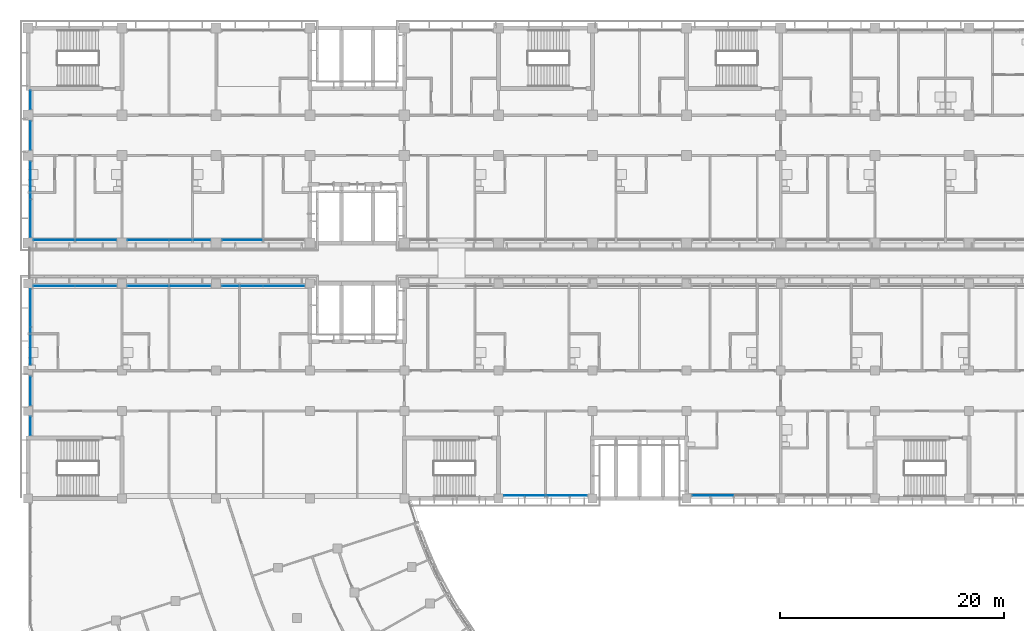
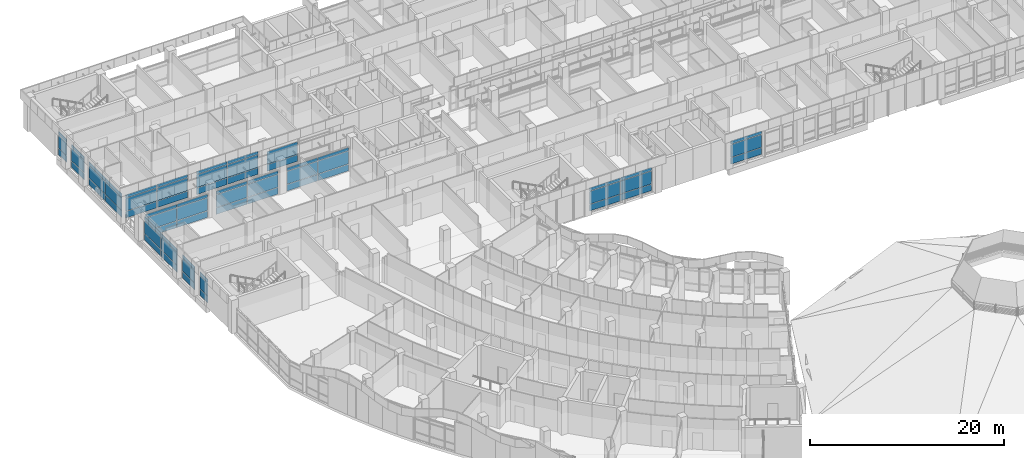
# One storey, part 55 of 137: 65 plates, 14 elements without a shape of their own.
"""IFC4 building model written with IfcOpenShell, lengths in metres."""

from ifc_helpers import new_model, si_unit, direction, frame, origin, origin_2d, place, context, subcontext, project, spatial, rectangle, extrude, material, layer, layer_set, type_object, element, aggregate, save


model = new_model("IFC4")

# Units and contexts
model_context = context("Model", 3, precision=1e-05, world=origin(), true_north=direction((0.0, 1.0)))
body_context = subcontext(model_context, "Body", "Model", "MODEL_VIEW")
ifc_project = project(units=[si_unit("LENGTHUNIT", "METRE"), si_unit("AREAUNIT", "SQUARE_METRE"), si_unit("VOLUMEUNIT", "CUBIC_METRE"), si_unit("PLANEANGLEUNIT", "RADIAN"), si_unit("MASSUNIT", "GRAM", prefix="KILO")], contexts=[model_context])

# Site, building, storey
site_placement = place(None, origin())
site = spatial("IfcSite", under=ifc_project, at=site_placement, CompositionType="ELEMENT")
building_placement = place(site_placement, origin())
building = spatial("IfcBuilding", under=site, at=building_placement, Name="Bougainvillea Quay General Hospital", CompositionType="ELEMENT")
storey_placement = place(building_placement, frame((0.0, 0.0, 16.800048828125)))
storey = spatial("IfcBuildingStorey", under=building, at=storey_placement, Name="L03", CompositionType="ELEMENT", Elevation=16.800048828125)

# Curtain wall, plates
ifc_material_1 = material(Name="Aluminium curtain wall system, powder-coated glazed", Category="aluminium")
curtain_wall_type_1 = type_object("IfcCurtainWallType", Name="Unitised curtain wall CW-1755", PredefinedType="NOTDEFINED", material=ifc_material_1)
curtain_wall_1_placement = place(storey_placement, origin())
curtain_wall_1 = element("IfcCurtainWall", 1, at=curtain_wall_1_placement, inside=storey, type_object=curtain_wall_type_1, Name="CW-4200 00", PredefinedType="NOTDEFINED")
ifc_material_2 = material(Name="Insulated aluminium spandrel panel, white", Category="aluminium")
ifc_layer_1 = layer(ifc_material_2, 0.028076171875)
ifc_layer_set_1 = layer_set([ifc_layer_1], Name="Insulated aluminium spandrel panel, white")
plate_type_1 = type_object("IfcPlateType", Name="Insulated spandrel panel white 28", PredefinedType="CURTAIN_PANEL", material=ifc_layer_set_1)
plate_1_placement = place(storey_placement, frame((42.25, 153.1474609375, 0.059814453125), z_axis=(0.0, 0.0, 1.0), x_axis=(0.0, -1.0, 0.0)))
plate_1 = element("IfcPlate", 2, at=plate_1_placement, type_object=plate_type_1, Name="CW-4200 spandrel panel 1.1", PredefinedType="CURTAIN_PANEL", context=body_context, shape_type="SweptSolid", body=[
    extrude(rectangle(XDim=1.635009765625, YDim=0.028076171875, at=origin_2d()), origin(), (0.0, 0.0, 1.0), 0.81005859375),
])
plate_2_placement = place(storey_placement, frame((42.25, 153.1474609375, 2.580078125), z_axis=(0.0, 0.0, 1.0), x_axis=(0.0, -1.0, 0.0)))
plate_2 = element("IfcPlate", 3, at=plate_2_placement, type_object=plate_type_1, Name="CW-4200 spandrel panel 1.3", PredefinedType="CURTAIN_PANEL", context=body_context, shape_type="SweptSolid", body=[
    extrude(rectangle(XDim=1.635009765625, YDim=0.028076171875, at=origin_2d()), origin(), (0.0, 0.0, 1.0), 0.409912109375),
])

curtain_wall_type_2 = type_object("IfcCurtainWallType", Name="Unitised curtain wall CW-2660", PredefinedType="NOTDEFINED", material=ifc_material_1)
curtain_wall_2_placement = place(storey_placement, origin())
curtain_wall_2 = element("IfcCurtainWall", 4, at=curtain_wall_2_placement, inside=storey, type_object=curtain_wall_type_2, Name="CW-4200 01", PredefinedType="NOTDEFINED")
plate_3_placement = place(storey_placement, frame((42.25, 150.0, 0.059814453125), z_axis=(0.0, 0.0, 1.0), x_axis=(0.0, -1.0, 0.0)))
plate_3 = element("IfcPlate", 5, at=plate_3_placement, type_object=plate_type_1, Name="CW-4200 spandrel panel 1.1", PredefinedType="CURTAIN_PANEL", context=body_context, shape_type="SweptSolid", body=[
    extrude(rectangle(XDim=2.5400390625, YDim=0.028076171875, at=origin_2d()), origin(), (0.0, 0.0, 1.0), 0.81005859375),
])
plate_4_placement = place(storey_placement, frame((42.25, 150.0, 2.580078125), z_axis=(0.0, 0.0, 1.0), x_axis=(0.0, -1.0, 0.0)))
plate_4 = element("IfcPlate", 6, at=plate_4_placement, type_object=plate_type_1, Name="CW-4200 spandrel panel 1.3", PredefinedType="CURTAIN_PANEL", context=body_context, shape_type="SweptSolid", body=[
    extrude(rectangle(XDim=2.5400390625, YDim=0.028076171875, at=origin_2d()), origin(), (0.0, 0.0, 1.0), 0.409912109375),
])

curtain_wall_type_3 = type_object("IfcCurtainWallType", Name="Unitised curtain wall CW-3430", PredefinedType="NOTDEFINED", material=ifc_material_1)
curtain_wall_3_placement = place(storey_placement, origin())
curtain_wall_3 = element("IfcCurtainWall", 7, at=curtain_wall_3_placement, inside=storey, type_object=curtain_wall_type_3, Name="CW-4200 02", PredefinedType="NOTDEFINED")
plate_5_placement = place(storey_placement, frame((42.25, 146.0, 0.059814453125), z_axis=(0.0, 0.0, 1.0), x_axis=(0.0, -1.0, 0.0)))
plate_5 = element("IfcPlate", 8, at=plate_5_placement, type_object=plate_type_1, Name="CW-4200 spandrel panel 1.1", PredefinedType="CURTAIN_PANEL", context=body_context, shape_type="SweptSolid", body=[
    extrude(rectangle(XDim=3.340087890625, YDim=0.028076171875, at=origin_2d()), origin(), (0.0, 0.0, 1.0), 0.81005859375),
])
plate_6_placement = place(storey_placement, frame((42.25, 146.0, 2.580078125), z_axis=(0.0, 0.0, 1.0), x_axis=(0.0, -1.0, 0.0)))
plate_6 = element("IfcPlate", 9, at=plate_6_placement, type_object=plate_type_1, Name="CW-4200 spandrel panel 1.3", PredefinedType="CURTAIN_PANEL", context=body_context, shape_type="SweptSolid", body=[
    extrude(rectangle(XDim=3.340087890625, YDim=0.028076171875, at=origin_2d()), origin(), (0.0, 0.0, 1.0), 0.409912109375),
])
plate_7_placement = place(storey_placement, frame((42.25, 142.60009765625, 0.059814453125), z_axis=(0.0, 0.0, 1.0), x_axis=(0.0, -1.0, 0.0)))
plate_7 = element("IfcPlate", 10, at=plate_7_placement, type_object=plate_type_1, Name="CW-4200 spandrel panel 2.1", PredefinedType="CURTAIN_PANEL", context=body_context, shape_type="SweptSolid", body=[
    extrude(rectangle(XDim=3.340087890625, YDim=0.028076171875, at=origin_2d()), origin(), (0.0, 0.0, 1.0), 0.81005859375),
])
plate_8_placement = place(storey_placement, frame((42.25, 142.60009765625, 2.580078125), z_axis=(0.0, 0.0, 1.0), x_axis=(0.0, -1.0, 0.0)))
plate_8 = element("IfcPlate", 11, at=plate_8_placement, type_object=plate_type_1, Name="CW-4200 spandrel panel 2.3", PredefinedType="CURTAIN_PANEL", context=body_context, shape_type="SweptSolid", body=[
    extrude(rectangle(XDim=3.340087890625, YDim=0.028076171875, at=origin_2d()), origin(), (0.0, 0.0, 1.0), 0.409912109375),
])

curtain_wall_type_4 = type_object("IfcCurtainWallType", Name="Unitised curtain wall CW-3730", PredefinedType="NOTDEFINED", material=ifc_material_1)
curtain_wall_4_placement = place(storey_placement, origin())
curtain_wall_4 = element("IfcCurtainWall", 12, at=curtain_wall_4_placement, inside=storey, type_object=curtain_wall_type_4, Name="CW-4200 00", PredefinedType="NOTDEFINED")
plate_9_placement = place(storey_placement, frame((44.35009765625, 140.64990234375, 0.059814453125), z_axis=(0.0, 0.0, 1.0), x_axis=(1.0, 0.0, 0.0)))
plate_9 = element("IfcPlate", 13, at=plate_9_placement, type_object=plate_type_1, Name="CW-4200 spandrel panel 1.1", PredefinedType="CURTAIN_PANEL", context=body_context, shape_type="SweptSolid", body=[
    extrude(rectangle(XDim=3.639892578125, YDim=0.028076171875, at=origin_2d()), origin(), (0.0, 0.0, 1.0), 0.81005859375),
])
plate_10_placement = place(storey_placement, frame((44.35009765625, 140.64990234375, 2.580078125), z_axis=(0.0, 0.0, 1.0), x_axis=(1.0, 0.0, 0.0)))
plate_10 = element("IfcPlate", 14, at=plate_10_placement, type_object=plate_type_1, Name="CW-4200 spandrel panel 1.3", PredefinedType="CURTAIN_PANEL", context=body_context, shape_type="SweptSolid", body=[
    extrude(rectangle(XDim=3.639892578125, YDim=0.028076171875, at=origin_2d()), origin(), (0.0, 0.0, 1.0), 0.409912109375),
])
plate_11_placement = place(storey_placement, frame((48.050048828125, 140.64990234375, 0.059814453125), z_axis=(0.0, 0.0, 1.0), x_axis=(1.0, 0.0, 0.0)))
plate_11 = element("IfcPlate", 15, at=plate_11_placement, type_object=plate_type_1, Name="CW-4200 spandrel panel 2.1", PredefinedType="CURTAIN_PANEL", context=body_context, shape_type="SweptSolid", body=[
    extrude(rectangle(XDim=3.639892578125, YDim=0.028076171875, at=origin_2d()), origin(), (0.0, 0.0, 1.0), 0.81005859375),
])
plate_12_placement = place(storey_placement, frame((48.050048828125, 140.64990234375, 2.580078125), z_axis=(0.0, 0.0, 1.0), x_axis=(1.0, 0.0, 0.0)))
plate_12 = element("IfcPlate", 16, at=plate_12_placement, type_object=plate_type_1, Name="CW-4200 spandrel panel 2.3", PredefinedType="CURTAIN_PANEL", context=body_context, shape_type="SweptSolid", body=[
    extrude(rectangle(XDim=3.639892578125, YDim=0.028076171875, at=origin_2d()), origin(), (0.0, 0.0, 1.0), 0.409912109375),
])

curtain_wall_5_placement = place(storey_placement, origin())
curtain_wall_5 = element("IfcCurtainWall", 17, at=curtain_wall_5_placement, inside=storey, type_object=curtain_wall_type_4, Name="CW-4200 01", PredefinedType="NOTDEFINED")
plate_13_placement = place(storey_placement, frame((52.75, 140.64990234375, 0.059814453125), z_axis=(0.0, 0.0, 1.0), x_axis=(1.0, 0.0, 0.0)))
plate_13 = element("IfcPlate", 18, at=plate_13_placement, type_object=plate_type_1, Name="CW-4200 spandrel panel 1.1", PredefinedType="CURTAIN_PANEL", context=body_context, shape_type="SweptSolid", body=[
    extrude(rectangle(XDim=3.639892578125, YDim=0.028076171875, at=origin_2d()), origin(), (0.0, 0.0, 1.0), 0.81005859375),
])
plate_14_placement = place(storey_placement, frame((52.75, 140.64990234375, 2.580078125), z_axis=(0.0, 0.0, 1.0), x_axis=(1.0, 0.0, 0.0)))
plate_14 = element("IfcPlate", 19, at=plate_14_placement, type_object=plate_type_1, Name="CW-4200 spandrel panel 1.3", PredefinedType="CURTAIN_PANEL", context=body_context, shape_type="SweptSolid", body=[
    extrude(rectangle(XDim=3.639892578125, YDim=0.028076171875, at=origin_2d()), origin(), (0.0, 0.0, 1.0), 0.409912109375),
])
plate_15_placement = place(storey_placement, frame((56.449951171875, 140.64990234375, 0.059814453125), z_axis=(0.0, 0.0, 1.0), x_axis=(1.0, 0.0, 0.0)))
plate_15 = element("IfcPlate", 20, at=plate_15_placement, type_object=plate_type_1, Name="CW-4200 spandrel panel 2.1", PredefinedType="CURTAIN_PANEL", context=body_context, shape_type="SweptSolid", body=[
    extrude(rectangle(XDim=3.639892578125, YDim=0.028076171875, at=origin_2d()), origin(), (0.0, 0.0, 1.0), 0.81005859375),
])
plate_16_placement = place(storey_placement, frame((56.449951171875, 140.64990234375, 2.580078125), z_axis=(0.0, 0.0, 1.0), x_axis=(1.0, 0.0, 0.0)))
plate_16 = element("IfcPlate", 21, at=plate_16_placement, type_object=plate_type_1, Name="CW-4200 spandrel panel 2.3", PredefinedType="CURTAIN_PANEL", context=body_context, shape_type="SweptSolid", body=[
    extrude(rectangle(XDim=3.639892578125, YDim=0.028076171875, at=origin_2d()), origin(), (0.0, 0.0, 1.0), 0.409912109375),
])

# Curtain wall, plate
curtain_wall_6_placement = place(storey_placement, origin())
curtain_wall_6 = element("IfcCurtainWall", 22, at=curtain_wall_6_placement, inside=storey, type_object=curtain_wall_type_4, Name="CW-4200 02", PredefinedType="NOTDEFINED")
plate_17_placement = place(storey_placement, frame((61.14990234375, 140.64990234375, 0.059814453125), z_axis=(0.0, 0.0, 1.0), x_axis=(1.0, 0.0, 0.0)))
plate_17 = element("IfcPlate", 23, at=plate_17_placement, type_object=plate_type_1, Name="CW-4200 spandrel panel 1.1", PredefinedType="CURTAIN_PANEL", context=body_context, shape_type="SweptSolid", body=[
    extrude(rectangle(XDim=3.639892578125, YDim=0.028076171875, at=origin_2d()), origin(), (0.0, 0.0, 1.0), 0.81005859375),
])

# Curtain wall, plates
curtain_wall_7_placement = place(storey_placement, origin())
curtain_wall_7 = element("IfcCurtainWall", 24, at=curtain_wall_7_placement, inside=storey, type_object=curtain_wall_type_4, Name="CW-4200 00", PredefinedType="NOTDEFINED")
plate_18_placement = place(storey_placement, frame((64.85009765625, 136.550048828125, 0.059814453125), z_axis=(0.0, 0.0, 1.0), x_axis=(-1.0, 0.0, 0.0)))
plate_18 = element("IfcPlate", 25, at=plate_18_placement, type_object=plate_type_1, Name="CW-4200 spandrel panel 1.1", PredefinedType="CURTAIN_PANEL", context=body_context, shape_type="SweptSolid", body=[
    extrude(rectangle(XDim=3.639892578125, YDim=0.028076171875, at=origin_2d()), origin(), (0.0, 0.0, 1.0), 0.81005859375),
])
plate_19_placement = place(storey_placement, frame((64.85009765625, 136.550048828125, 2.580078125), z_axis=(0.0, 0.0, 1.0), x_axis=(-1.0, 0.0, 0.0)))
plate_19 = element("IfcPlate", 26, at=plate_19_placement, type_object=plate_type_1, Name="CW-4200 spandrel panel 1.3", PredefinedType="CURTAIN_PANEL", context=body_context, shape_type="SweptSolid", body=[
    extrude(rectangle(XDim=3.639892578125, YDim=0.028076171875, at=origin_2d()), origin(), (0.0, 0.0, 1.0), 0.409912109375),
])
plate_20_placement = place(storey_placement, frame((61.14990234375, 136.550048828125, 0.059814453125), z_axis=(0.0, 0.0, 1.0), x_axis=(-1.0, 0.0, 0.0)))
plate_20 = element("IfcPlate", 27, at=plate_20_placement, type_object=plate_type_1, Name="CW-4200 spandrel panel 2.1", PredefinedType="CURTAIN_PANEL", context=body_context, shape_type="SweptSolid", body=[
    extrude(rectangle(XDim=3.639892578125, YDim=0.028076171875, at=origin_2d()), origin(), (0.0, 0.0, 1.0), 0.81005859375),
])
plate_21_placement = place(storey_placement, frame((61.14990234375, 136.550048828125, 2.580078125), z_axis=(0.0, 0.0, 1.0), x_axis=(-1.0, 0.0, 0.0)))
plate_21 = element("IfcPlate", 28, at=plate_21_placement, type_object=plate_type_1, Name="CW-4200 spandrel panel 2.3", PredefinedType="CURTAIN_PANEL", context=body_context, shape_type="SweptSolid", body=[
    extrude(rectangle(XDim=3.639892578125, YDim=0.028076171875, at=origin_2d()), origin(), (0.0, 0.0, 1.0), 0.409912109375),
])

curtain_wall_8_placement = place(storey_placement, origin())
curtain_wall_8 = element("IfcCurtainWall", 29, at=curtain_wall_8_placement, inside=storey, type_object=curtain_wall_type_4, Name="CW-4200 01", PredefinedType="NOTDEFINED")
plate_22_placement = place(storey_placement, frame((56.449951171875, 136.550048828125, 0.059814453125), z_axis=(0.0, 0.0, 1.0), x_axis=(-1.0, 0.0, 0.0)))
plate_22 = element("IfcPlate", 30, at=plate_22_placement, type_object=plate_type_1, Name="CW-4200 spandrel panel 1.1", PredefinedType="CURTAIN_PANEL", context=body_context, shape_type="SweptSolid", body=[
    extrude(rectangle(XDim=3.639892578125, YDim=0.028076171875, at=origin_2d()), origin(), (0.0, 0.0, 1.0), 0.81005859375),
])
plate_23_placement = place(storey_placement, frame((56.449951171875, 136.550048828125, 2.580078125), z_axis=(0.0, 0.0, 1.0), x_axis=(-1.0, 0.0, 0.0)))
plate_23 = element("IfcPlate", 31, at=plate_23_placement, type_object=plate_type_1, Name="CW-4200 spandrel panel 1.3", PredefinedType="CURTAIN_PANEL", context=body_context, shape_type="SweptSolid", body=[
    extrude(rectangle(XDim=3.639892578125, YDim=0.028076171875, at=origin_2d()), origin(), (0.0, 0.0, 1.0), 0.409912109375),
])
plate_24_placement = place(storey_placement, frame((52.75, 136.550048828125, 0.059814453125), z_axis=(0.0, 0.0, 1.0), x_axis=(-1.0, 0.0, 0.0)))
plate_24 = element("IfcPlate", 32, at=plate_24_placement, type_object=plate_type_1, Name="CW-4200 spandrel panel 2.1", PredefinedType="CURTAIN_PANEL", context=body_context, shape_type="SweptSolid", body=[
    extrude(rectangle(XDim=3.639892578125, YDim=0.028076171875, at=origin_2d()), origin(), (0.0, 0.0, 1.0), 0.81005859375),
])
plate_25_placement = place(storey_placement, frame((52.75, 136.550048828125, 2.580078125), z_axis=(0.0, 0.0, 1.0), x_axis=(-1.0, 0.0, 0.0)))
plate_25 = element("IfcPlate", 33, at=plate_25_placement, type_object=plate_type_1, Name="CW-4200 spandrel panel 2.3", PredefinedType="CURTAIN_PANEL", context=body_context, shape_type="SweptSolid", body=[
    extrude(rectangle(XDim=3.639892578125, YDim=0.028076171875, at=origin_2d()), origin(), (0.0, 0.0, 1.0), 0.409912109375),
])

curtain_wall_9_placement = place(storey_placement, origin())
curtain_wall_9 = element("IfcCurtainWall", 34, at=curtain_wall_9_placement, inside=storey, type_object=curtain_wall_type_4, Name="CW-4200 02", PredefinedType="NOTDEFINED")
plate_26_placement = place(storey_placement, frame((48.050048828125, 136.550048828125, 0.059814453125), z_axis=(0.0, 0.0, 1.0), x_axis=(-1.0, 0.0, 0.0)))
plate_26 = element("IfcPlate", 35, at=plate_26_placement, type_object=plate_type_1, Name="CW-4200 spandrel panel 1.1", PredefinedType="CURTAIN_PANEL", context=body_context, shape_type="SweptSolid", body=[
    extrude(rectangle(XDim=3.639892578125, YDim=0.028076171875, at=origin_2d()), origin(), (0.0, 0.0, 1.0), 0.81005859375),
])
plate_27_placement = place(storey_placement, frame((48.050048828125, 136.550048828125, 2.580078125), z_axis=(0.0, 0.0, 1.0), x_axis=(-1.0, 0.0, 0.0)))
plate_27 = element("IfcPlate", 36, at=plate_27_placement, type_object=plate_type_1, Name="CW-4200 spandrel panel 1.3", PredefinedType="CURTAIN_PANEL", context=body_context, shape_type="SweptSolid", body=[
    extrude(rectangle(XDim=3.639892578125, YDim=0.028076171875, at=origin_2d()), origin(), (0.0, 0.0, 1.0), 0.409912109375),
])
plate_28_placement = place(storey_placement, frame((44.35009765625, 136.550048828125, 0.059814453125), z_axis=(0.0, 0.0, 1.0), x_axis=(-1.0, 0.0, 0.0)))
plate_28 = element("IfcPlate", 37, at=plate_28_placement, type_object=plate_type_1, Name="CW-4200 spandrel panel 2.1", PredefinedType="CURTAIN_PANEL", context=body_context, shape_type="SweptSolid", body=[
    extrude(rectangle(XDim=3.639892578125, YDim=0.028076171875, at=origin_2d()), origin(), (0.0, 0.0, 1.0), 0.81005859375),
])
plate_29_placement = place(storey_placement, frame((44.35009765625, 136.550048828125, 2.580078125), z_axis=(0.0, 0.0, 1.0), x_axis=(-1.0, 0.0, 0.0)))
plate_29 = element("IfcPlate", 38, at=plate_29_placement, type_object=plate_type_1, Name="CW-4200 spandrel panel 2.3", PredefinedType="CURTAIN_PANEL", context=body_context, shape_type="SweptSolid", body=[
    extrude(rectangle(XDim=3.639892578125, YDim=0.028076171875, at=origin_2d()), origin(), (0.0, 0.0, 1.0), 0.409912109375),
])

curtain_wall_10_placement = place(storey_placement, origin())
curtain_wall_10 = element("IfcCurtainWall", 39, at=curtain_wall_10_placement, inside=storey, type_object=curtain_wall_type_3, Name="CW-4200 00", PredefinedType="NOTDEFINED")
plate_30_placement = place(storey_placement, frame((42.25, 134.60009765625, 0.059814453125), z_axis=(0.0, 0.0, 1.0), x_axis=(0.0, -1.0, 0.0)))
plate_30 = element("IfcPlate", 40, at=plate_30_placement, type_object=plate_type_1, Name="CW-4200 spandrel panel 1.1", PredefinedType="CURTAIN_PANEL", context=body_context, shape_type="SweptSolid", body=[
    extrude(rectangle(XDim=3.340087890625, YDim=0.028076171875, at=origin_2d()), origin(), (0.0, 0.0, 1.0), 0.81005859375),
])
plate_31_placement = place(storey_placement, frame((42.25, 134.60009765625, 2.580078125), z_axis=(0.0, 0.0, 1.0), x_axis=(0.0, -1.0, 0.0)))
plate_31 = element("IfcPlate", 41, at=plate_31_placement, type_object=plate_type_1, Name="CW-4200 spandrel panel 1.3", PredefinedType="CURTAIN_PANEL", context=body_context, shape_type="SweptSolid", body=[
    extrude(rectangle(XDim=3.340087890625, YDim=0.028076171875, at=origin_2d()), origin(), (0.0, 0.0, 1.0), 0.409912109375),
])
plate_32_placement = place(storey_placement, frame((42.25, 131.199951171875, 0.059814453125), z_axis=(0.0, 0.0, 1.0), x_axis=(0.0, -1.0, 0.0)))
plate_32 = element("IfcPlate", 42, at=plate_32_placement, type_object=plate_type_1, Name="CW-4200 spandrel panel 2.1", PredefinedType="CURTAIN_PANEL", context=body_context, shape_type="SweptSolid", body=[
    extrude(rectangle(XDim=3.340087890625, YDim=0.028076171875, at=origin_2d()), origin(), (0.0, 0.0, 1.0), 0.81005859375),
])
plate_33_placement = place(storey_placement, frame((42.25, 131.199951171875, 2.580078125), z_axis=(0.0, 0.0, 1.0), x_axis=(0.0, -1.0, 0.0)))
plate_33 = element("IfcPlate", 43, at=plate_33_placement, type_object=plate_type_1, Name="CW-4200 spandrel panel 2.3", PredefinedType="CURTAIN_PANEL", context=body_context, shape_type="SweptSolid", body=[
    extrude(rectangle(XDim=3.340087890625, YDim=0.028076171875, at=origin_2d()), origin(), (0.0, 0.0, 1.0), 0.409912109375),
])

curtain_wall_11_placement = place(storey_placement, origin())
curtain_wall_11 = element("IfcCurtainWall", 44, at=curtain_wall_11_placement, inside=storey, type_object=curtain_wall_type_2, Name="CW-4200 01", PredefinedType="NOTDEFINED")
plate_34_placement = place(storey_placement, frame((42.25, 127.199951171875, 0.059814453125), z_axis=(0.0, 0.0, 1.0), x_axis=(0.0, -1.0, 0.0)))
plate_34 = element("IfcPlate", 45, at=plate_34_placement, type_object=plate_type_1, Name="CW-4200 spandrel panel 1.1", PredefinedType="CURTAIN_PANEL", context=body_context, shape_type="SweptSolid", body=[
    extrude(rectangle(XDim=2.5400390625, YDim=0.028076171875, at=origin_2d()), origin(), (0.0, 0.0, 1.0), 0.81005859375),
])
plate_35_placement = place(storey_placement, frame((42.25, 127.199951171875, 2.580078125), z_axis=(0.0, 0.0, 1.0), x_axis=(0.0, -1.0, 0.0)))
plate_35 = element("IfcPlate", 46, at=plate_35_placement, type_object=plate_type_1, Name="CW-4200 spandrel panel 1.3", PredefinedType="CURTAIN_PANEL", context=body_context, shape_type="SweptSolid", body=[
    extrude(rectangle(XDim=2.5400390625, YDim=0.028076171875, at=origin_2d()), origin(), (0.0, 0.0, 1.0), 0.409912109375),
])

curtain_wall_12_placement = place(storey_placement, origin())
curtain_wall_12 = element("IfcCurtainWall", 47, at=curtain_wall_12_placement, inside=storey, type_object=curtain_wall_type_1, Name="CW-4200 02", PredefinedType="NOTDEFINED")
plate_36_placement = place(storey_placement, frame((42.25, 124.052490234375, 0.059814453125), z_axis=(0.0, 0.0, 1.0), x_axis=(0.0, -1.0, 0.0)))
plate_36 = element("IfcPlate", 48, at=plate_36_placement, type_object=plate_type_1, Name="CW-4200 spandrel panel 1.1", PredefinedType="CURTAIN_PANEL", context=body_context, shape_type="SweptSolid", body=[
    extrude(rectangle(XDim=1.635009765625, YDim=0.028076171875, at=origin_2d()), origin(), (0.0, 0.0, 1.0), 0.81005859375),
])
plate_37_placement = place(storey_placement, frame((42.25, 124.052490234375, 2.580078125), z_axis=(0.0, 0.0, 1.0), x_axis=(0.0, -1.0, 0.0)))
plate_37 = element("IfcPlate", 49, at=plate_37_placement, type_object=plate_type_1, Name="CW-4200 spandrel panel 1.3", PredefinedType="CURTAIN_PANEL", context=body_context, shape_type="SweptSolid", body=[
    extrude(rectangle(XDim=1.635009765625, YDim=0.028076171875, at=origin_2d()), origin(), (0.0, 0.0, 1.0), 0.409912109375),
])

curtain_wall_13_placement = place(storey_placement, origin())
curtain_wall_13 = element("IfcCurtainWall", 50, at=curtain_wall_13_placement, inside=storey, type_object=curtain_wall_type_4, Name="CW-4200 00", PredefinedType="NOTDEFINED")
plate_38_placement = place(storey_placement, frame((86.35009765625, 117.85009765625, 0.059814453125), z_axis=(0.0, 0.0, 1.0), x_axis=(1.0, 0.0, 0.0)))
plate_38 = element("IfcPlate", 51, at=plate_38_placement, type_object=plate_type_1, Name="CW-4200 spandrel panel 1.1", PredefinedType="CURTAIN_PANEL", context=body_context, shape_type="SweptSolid", body=[
    extrude(rectangle(XDim=3.639892578125, YDim=0.028076171875, at=origin_2d()), origin(), (0.0, 0.0, 1.0), 0.81005859375),
])
plate_39_placement = place(storey_placement, frame((86.35009765625, 117.85009765625, 2.580078125), z_axis=(0.0, 0.0, 1.0), x_axis=(1.0, 0.0, 0.0)))
plate_39 = element("IfcPlate", 52, at=plate_39_placement, type_object=plate_type_1, Name="CW-4200 spandrel panel 1.3", PredefinedType="CURTAIN_PANEL", context=body_context, shape_type="SweptSolid", body=[
    extrude(rectangle(XDim=3.639892578125, YDim=0.028076171875, at=origin_2d()), origin(), (0.0, 0.0, 1.0), 0.409912109375),
])
plate_40_placement = place(storey_placement, frame((90.050048828125, 117.85009765625, 0.059814453125), z_axis=(0.0, 0.0, 1.0), x_axis=(1.0, 0.0, 0.0)))
plate_40 = element("IfcPlate", 53, at=plate_40_placement, type_object=plate_type_1, Name="CW-4200 spandrel panel 2.1", PredefinedType="CURTAIN_PANEL", context=body_context, shape_type="SweptSolid", body=[
    extrude(rectangle(XDim=3.639892578125, YDim=0.028076171875, at=origin_2d()), origin(), (0.0, 0.0, 1.0), 0.81005859375),
])
plate_41_placement = place(storey_placement, frame((90.050048828125, 117.85009765625, 2.580078125), z_axis=(0.0, 0.0, 1.0), x_axis=(1.0, 0.0, 0.0)))
plate_41 = element("IfcPlate", 54, at=plate_41_placement, type_object=plate_type_1, Name="CW-4200 spandrel panel 2.3", PredefinedType="CURTAIN_PANEL", context=body_context, shape_type="SweptSolid", body=[
    extrude(rectangle(XDim=3.639892578125, YDim=0.028076171875, at=origin_2d()), origin(), (0.0, 0.0, 1.0), 0.409912109375),
])

curtain_wall_14_placement = place(storey_placement, origin())
curtain_wall_14 = element("IfcCurtainWall", 55, at=curtain_wall_14_placement, inside=storey, type_object=curtain_wall_type_4, Name="CW-4200 00", PredefinedType="NOTDEFINED")
plate_42_placement = place(storey_placement, frame((103.14990234375, 117.85009765625, 0.059814453125), z_axis=(0.0, 0.0, 1.0), x_axis=(1.0, 0.0, 0.0)))
plate_42 = element("IfcPlate", 56, at=plate_42_placement, type_object=plate_type_1, Name="CW-4200 spandrel panel 1.1", PredefinedType="CURTAIN_PANEL", context=body_context, shape_type="SweptSolid", body=[
    extrude(rectangle(XDim=3.639892578125, YDim=0.028076171875, at=origin_2d()), origin(), (0.0, 0.0, 1.0), 0.81005859375),
])
plate_43_placement = place(storey_placement, frame((103.14990234375, 117.85009765625, 2.580078125), z_axis=(0.0, 0.0, 1.0), x_axis=(1.0, 0.0, 0.0)))
plate_43 = element("IfcPlate", 57, at=plate_43_placement, type_object=plate_type_1, Name="CW-4200 spandrel panel 1.3", PredefinedType="CURTAIN_PANEL", context=body_context, shape_type="SweptSolid", body=[
    extrude(rectangle(XDim=3.639892578125, YDim=0.028076171875, at=origin_2d()), origin(), (0.0, 0.0, 1.0), 0.409912109375),
])

# Plate
ifc_material_3 = material(Name="Low-e laminated glass, solar control", Category="glass")
ifc_layer_2 = layer(ifc_material_3, 0.028076171875)
ifc_layer_set_2 = layer_set([ifc_layer_2], Name="Low-e laminated glass, solar control")
plate_type_2 = type_object("IfcPlateType", Name="Low-e laminated vision glass 28", PredefinedType="CURTAIN_PANEL", material=ifc_layer_set_2)
plate_44_placement = place(storey_placement, frame((42.25, 153.1474609375, 0.9296875), z_axis=(0.0, 0.0, 1.0), x_axis=(0.0, -1.0, 0.0)))
plate_44 = element("IfcPlate", 58, at=plate_44_placement, type_object=plate_type_2, Name="CW-4200 vision glass panel 1.2", PredefinedType="CURTAIN_PANEL", context=body_context, shape_type="SweptSolid", body=[
    extrude(rectangle(XDim=1.635009765625, YDim=0.028076171875, at=origin_2d()), origin(), (0.0, 0.0, 1.0), 1.590087890625),
])

aggregate(curtain_wall_1, [plate_1, plate_44, plate_2])

plate_45_placement = place(storey_placement, frame((42.25, 150.0, 0.9296875), z_axis=(0.0, 0.0, 1.0), x_axis=(0.0, -1.0, 0.0)))
plate_45 = element("IfcPlate", 59, at=plate_45_placement, type_object=plate_type_2, Name="CW-4200 vision glass panel 1.2", PredefinedType="CURTAIN_PANEL", context=body_context, shape_type="SweptSolid", body=[
    extrude(rectangle(XDim=2.5400390625, YDim=0.028076171875, at=origin_2d()), origin(), (0.0, 0.0, 1.0), 1.590087890625),
])

aggregate(curtain_wall_2, [plate_3, plate_45, plate_4])

plate_46_placement = place(storey_placement, frame((42.25, 146.0, 0.9296875), z_axis=(0.0, 0.0, 1.0), x_axis=(0.0, -1.0, 0.0)))
plate_46 = element("IfcPlate", 60, at=plate_46_placement, type_object=plate_type_2, Name="CW-4200 vision glass panel 1.2", PredefinedType="CURTAIN_PANEL", context=body_context, shape_type="SweptSolid", body=[
    extrude(rectangle(XDim=3.340087890625, YDim=0.028076171875, at=origin_2d()), origin(), (0.0, 0.0, 1.0), 1.590087890625),
])

plate_47_placement = place(storey_placement, frame((42.25, 142.60009765625, 0.9296875), z_axis=(0.0, 0.0, 1.0), x_axis=(0.0, -1.0, 0.0)))
plate_47 = element("IfcPlate", 61, at=plate_47_placement, type_object=plate_type_2, Name="CW-4200 vision glass panel 2.2", PredefinedType="CURTAIN_PANEL", context=body_context, shape_type="SweptSolid", body=[
    extrude(rectangle(XDim=3.340087890625, YDim=0.028076171875, at=origin_2d()), origin(), (0.0, 0.0, 1.0), 1.590087890625),
])

aggregate(curtain_wall_3, [plate_5, plate_46, plate_6, plate_7, plate_47, plate_8])

plate_48_placement = place(storey_placement, frame((44.35009765625, 140.64990234375, 0.9296875), z_axis=(0.0, 0.0, 1.0), x_axis=(1.0, 0.0, 0.0)))
plate_48 = element("IfcPlate", 62, at=plate_48_placement, type_object=plate_type_2, Name="CW-4200 vision glass panel 1.2", PredefinedType="CURTAIN_PANEL", context=body_context, shape_type="SweptSolid", body=[
    extrude(rectangle(XDim=3.639892578125, YDim=0.028076171875, at=origin_2d()), origin(), (0.0, 0.0, 1.0), 1.590087890625),
])

plate_49_placement = place(storey_placement, frame((48.050048828125, 140.64990234375, 0.9296875), z_axis=(0.0, 0.0, 1.0), x_axis=(1.0, 0.0, 0.0)))
plate_49 = element("IfcPlate", 63, at=plate_49_placement, type_object=plate_type_2, Name="CW-4200 vision glass panel 2.2", PredefinedType="CURTAIN_PANEL", context=body_context, shape_type="SweptSolid", body=[
    extrude(rectangle(XDim=3.639892578125, YDim=0.028076171875, at=origin_2d()), origin(), (0.0, 0.0, 1.0), 1.590087890625),
])

aggregate(curtain_wall_4, [plate_9, plate_48, plate_10, plate_11, plate_49, plate_12])

plate_50_placement = place(storey_placement, frame((52.75, 140.64990234375, 0.9296875), z_axis=(0.0, 0.0, 1.0), x_axis=(1.0, 0.0, 0.0)))
plate_50 = element("IfcPlate", 64, at=plate_50_placement, type_object=plate_type_2, Name="CW-4200 vision glass panel 1.2", PredefinedType="CURTAIN_PANEL", context=body_context, shape_type="SweptSolid", body=[
    extrude(rectangle(XDim=3.639892578125, YDim=0.028076171875, at=origin_2d()), origin(), (0.0, 0.0, 1.0), 1.590087890625),
])

plate_51_placement = place(storey_placement, frame((56.449951171875, 140.64990234375, 0.9296875), z_axis=(0.0, 0.0, 1.0), x_axis=(1.0, 0.0, 0.0)))
plate_51 = element("IfcPlate", 65, at=plate_51_placement, type_object=plate_type_2, Name="CW-4200 vision glass panel 2.2", PredefinedType="CURTAIN_PANEL", context=body_context, shape_type="SweptSolid", body=[
    extrude(rectangle(XDim=3.639892578125, YDim=0.028076171875, at=origin_2d()), origin(), (0.0, 0.0, 1.0), 1.590087890625),
])

aggregate(curtain_wall_5, [plate_13, plate_50, plate_14, plate_15, plate_51, plate_16])

plate_52_placement = place(storey_placement, frame((61.14990234375, 140.64990234375, 0.9296875), z_axis=(0.0, 0.0, 1.0), x_axis=(1.0, 0.0, 0.0)))
plate_52 = element("IfcPlate", 66, at=plate_52_placement, type_object=plate_type_2, Name="CW-4200 vision glass panel 1.2", PredefinedType="CURTAIN_PANEL", context=body_context, shape_type="SweptSolid", body=[
    extrude(rectangle(XDim=3.639892578125, YDim=0.028076171875, at=origin_2d()), origin(), (0.0, 0.0, 1.0), 1.590087890625),
])

aggregate(curtain_wall_6, [plate_17, plate_52])

plate_53_placement = place(storey_placement, frame((64.85009765625, 136.550048828125, 0.9296875), z_axis=(0.0, 0.0, 1.0), x_axis=(-1.0, 0.0, 0.0)))
plate_53 = element("IfcPlate", 67, at=plate_53_placement, type_object=plate_type_2, Name="CW-4200 vision glass panel 1.2", PredefinedType="CURTAIN_PANEL", context=body_context, shape_type="SweptSolid", body=[
    extrude(rectangle(XDim=3.639892578125, YDim=0.028076171875, at=origin_2d()), origin(), (0.0, 0.0, 1.0), 1.590087890625),
])

plate_54_placement = place(storey_placement, frame((61.14990234375, 136.550048828125, 0.9296875), z_axis=(0.0, 0.0, 1.0), x_axis=(-1.0, 0.0, 0.0)))
plate_54 = element("IfcPlate", 68, at=plate_54_placement, type_object=plate_type_2, Name="CW-4200 vision glass panel 2.2", PredefinedType="CURTAIN_PANEL", context=body_context, shape_type="SweptSolid", body=[
    extrude(rectangle(XDim=3.639892578125, YDim=0.028076171875, at=origin_2d()), origin(), (0.0, 0.0, 1.0), 1.590087890625),
])

aggregate(curtain_wall_7, [plate_18, plate_53, plate_19, plate_20, plate_54, plate_21])

plate_55_placement = place(storey_placement, frame((56.449951171875, 136.550048828125, 0.9296875), z_axis=(0.0, 0.0, 1.0), x_axis=(-1.0, 0.0, 0.0)))
plate_55 = element("IfcPlate", 69, at=plate_55_placement, type_object=plate_type_2, Name="CW-4200 vision glass panel 1.2", PredefinedType="CURTAIN_PANEL", context=body_context, shape_type="SweptSolid", body=[
    extrude(rectangle(XDim=3.639892578125, YDim=0.028076171875, at=origin_2d()), origin(), (0.0, 0.0, 1.0), 1.590087890625),
])

plate_56_placement = place(storey_placement, frame((52.75, 136.550048828125, 0.9296875), z_axis=(0.0, 0.0, 1.0), x_axis=(-1.0, 0.0, 0.0)))
plate_56 = element("IfcPlate", 70, at=plate_56_placement, type_object=plate_type_2, Name="CW-4200 vision glass panel 2.2", PredefinedType="CURTAIN_PANEL", context=body_context, shape_type="SweptSolid", body=[
    extrude(rectangle(XDim=3.639892578125, YDim=0.028076171875, at=origin_2d()), origin(), (0.0, 0.0, 1.0), 1.590087890625),
])

aggregate(curtain_wall_8, [plate_22, plate_55, plate_23, plate_24, plate_56, plate_25])

plate_57_placement = place(storey_placement, frame((48.050048828125, 136.550048828125, 0.9296875), z_axis=(0.0, 0.0, 1.0), x_axis=(-1.0, 0.0, 0.0)))
plate_57 = element("IfcPlate", 71, at=plate_57_placement, type_object=plate_type_2, Name="CW-4200 vision glass panel 1.2", PredefinedType="CURTAIN_PANEL", context=body_context, shape_type="SweptSolid", body=[
    extrude(rectangle(XDim=3.639892578125, YDim=0.028076171875, at=origin_2d()), origin(), (0.0, 0.0, 1.0), 1.590087890625),
])

plate_58_placement = place(storey_placement, frame((44.35009765625, 136.550048828125, 0.9296875), z_axis=(0.0, 0.0, 1.0), x_axis=(-1.0, 0.0, 0.0)))
plate_58 = element("IfcPlate", 72, at=plate_58_placement, type_object=plate_type_2, Name="CW-4200 vision glass panel 2.2", PredefinedType="CURTAIN_PANEL", context=body_context, shape_type="SweptSolid", body=[
    extrude(rectangle(XDim=3.639892578125, YDim=0.028076171875, at=origin_2d()), origin(), (0.0, 0.0, 1.0), 1.590087890625),
])

aggregate(curtain_wall_9, [plate_26, plate_57, plate_27, plate_28, plate_58, plate_29])

plate_59_placement = place(storey_placement, frame((42.25, 134.60009765625, 0.9296875), z_axis=(0.0, 0.0, 1.0), x_axis=(0.0, -1.0, 0.0)))
plate_59 = element("IfcPlate", 73, at=plate_59_placement, type_object=plate_type_2, Name="CW-4200 vision glass panel 1.2", PredefinedType="CURTAIN_PANEL", context=body_context, shape_type="SweptSolid", body=[
    extrude(rectangle(XDim=3.340087890625, YDim=0.028076171875, at=origin_2d()), origin(), (0.0, 0.0, 1.0), 1.590087890625),
])

plate_60_placement = place(storey_placement, frame((42.25, 131.199951171875, 0.9296875), z_axis=(0.0, 0.0, 1.0), x_axis=(0.0, -1.0, 0.0)))
plate_60 = element("IfcPlate", 74, at=plate_60_placement, type_object=plate_type_2, Name="CW-4200 vision glass panel 2.2", PredefinedType="CURTAIN_PANEL", context=body_context, shape_type="SweptSolid", body=[
    extrude(rectangle(XDim=3.340087890625, YDim=0.028076171875, at=origin_2d()), origin(), (0.0, 0.0, 1.0), 1.590087890625),
])

aggregate(curtain_wall_10, [plate_30, plate_59, plate_31, plate_32, plate_60, plate_33])

plate_61_placement = place(storey_placement, frame((42.25, 127.199951171875, 0.9296875), z_axis=(0.0, 0.0, 1.0), x_axis=(0.0, -1.0, 0.0)))
plate_61 = element("IfcPlate", 75, at=plate_61_placement, type_object=plate_type_2, Name="CW-4200 vision glass panel 1.2", PredefinedType="CURTAIN_PANEL", context=body_context, shape_type="SweptSolid", body=[
    extrude(rectangle(XDim=2.5400390625, YDim=0.028076171875, at=origin_2d()), origin(), (0.0, 0.0, 1.0), 1.590087890625),
])

aggregate(curtain_wall_11, [plate_34, plate_61, plate_35])

plate_62_placement = place(storey_placement, frame((42.25, 124.052490234375, 0.9296875), z_axis=(0.0, 0.0, 1.0), x_axis=(0.0, -1.0, 0.0)))
plate_62 = element("IfcPlate", 76, at=plate_62_placement, type_object=plate_type_2, Name="CW-4200 vision glass panel 1.2", PredefinedType="CURTAIN_PANEL", context=body_context, shape_type="SweptSolid", body=[
    extrude(rectangle(XDim=1.635009765625, YDim=0.028076171875, at=origin_2d()), origin(), (0.0, 0.0, 1.0), 1.590087890625),
])

aggregate(curtain_wall_12, [plate_36, plate_62, plate_37])

plate_63_placement = place(storey_placement, frame((86.35009765625, 117.85009765625, 0.9296875), z_axis=(0.0, 0.0, 1.0), x_axis=(1.0, 0.0, 0.0)))
plate_63 = element("IfcPlate", 77, at=plate_63_placement, type_object=plate_type_2, Name="CW-4200 vision glass panel 1.2", PredefinedType="CURTAIN_PANEL", context=body_context, shape_type="SweptSolid", body=[
    extrude(rectangle(XDim=3.639892578125, YDim=0.028076171875, at=origin_2d()), origin(), (0.0, 0.0, 1.0), 1.590087890625),
])

plate_64_placement = place(storey_placement, frame((90.050048828125, 117.85009765625, 0.9296875), z_axis=(0.0, 0.0, 1.0), x_axis=(1.0, 0.0, 0.0)))
plate_64 = element("IfcPlate", 78, at=plate_64_placement, type_object=plate_type_2, Name="CW-4200 vision glass panel 2.2", PredefinedType="CURTAIN_PANEL", context=body_context, shape_type="SweptSolid", body=[
    extrude(rectangle(XDim=3.639892578125, YDim=0.028076171875, at=origin_2d()), origin(), (0.0, 0.0, 1.0), 1.590087890625),
])

aggregate(curtain_wall_13, [plate_38, plate_63, plate_39, plate_40, plate_64, plate_41])

plate_65_placement = place(storey_placement, frame((103.14990234375, 117.85009765625, 0.9296875), z_axis=(0.0, 0.0, 1.0), x_axis=(1.0, 0.0, 0.0)))
plate_65 = element("IfcPlate", 79, at=plate_65_placement, type_object=plate_type_2, Name="CW-4200 vision glass panel 1.2", PredefinedType="CURTAIN_PANEL", context=body_context, shape_type="SweptSolid", body=[
    extrude(rectangle(XDim=3.639892578125, YDim=0.028076171875, at=origin_2d()), origin(), (0.0, 0.0, 1.0), 1.590087890625),
])

aggregate(curtain_wall_14, [plate_42, plate_65, plate_43])

save(model, "model.ifc")
